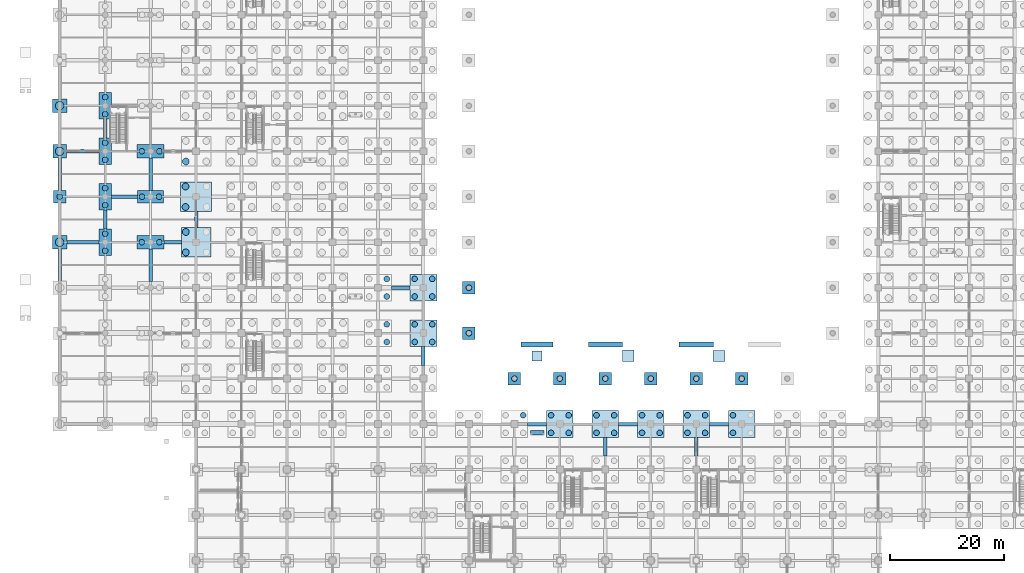
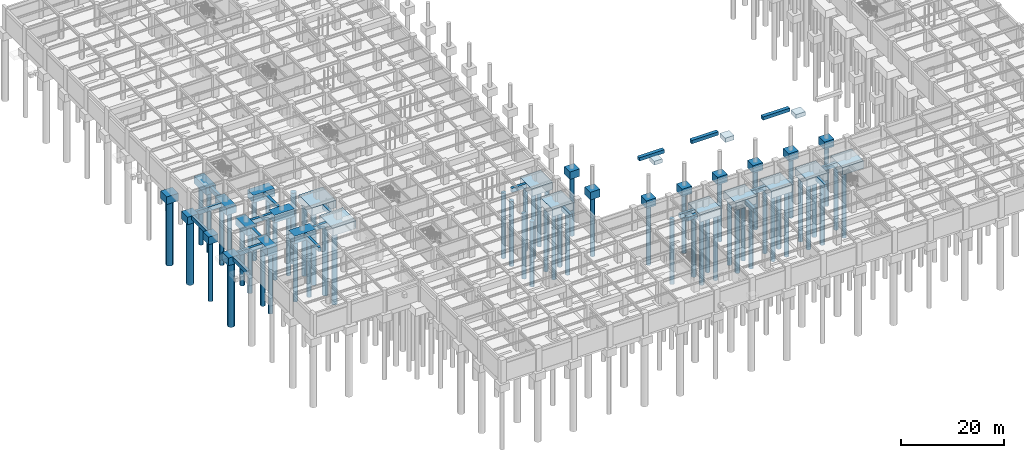
# One storey, part 4 of 97: 62 piles, 53 footings.
"""IFC4 building model written with IfcOpenShell, lengths in metres."""

import ifcopenshell
import ifcopenshell.guid

model = None  # the IFC model being written
_history = None  # IfcOwnerHistory: only IFC2X3 demands one
_inside = {}  # id of a spatial element -> (the spatial element, [elements in it])
_under = {}  # id of a project, library or spatial element -> (it, [spatial elements below it])
_declared = {}  # id of a project -> (the project, [libraries it declares])
_typed = {}  # id of a type object -> (the type object, [elements of that type])
_made_of = {}  # id of a material, layer set ... -> (it, [elements and type objects made of it])


def new_model(schema):
    """Start an empty IFC model of exactly this schema.

    Asked for "IFC4X3", IfcOpenShell would pick the latest addendum, in which some entities
    have other attributes; the version numbers below select the first issue.
    IFC2X3 requires an IfcOwnerHistory on every rooted entity: one is made here for all.
    """
    global model, _history
    if schema == "IFC4X3":
        model = ifcopenshell.file(schema_version=(4, 3, 0, 0))
    else:
        model = ifcopenshell.file(schema=schema)
    _inside.clear()
    _under.clear()
    _declared.clear()
    _typed.clear()
    _made_of.clear()
    _history = None
    if model.schema == "IFC2X3":
        org = make("IfcOrganization", Name="unknown")
        user = make(
            "IfcPersonAndOrganization",
            ThePerson=make("IfcPerson", FamilyName="unknown"),
            TheOrganization=org,
        )
        app = make(
            "IfcApplication",
            ApplicationDeveloper=org,
            Version="unknown",
            ApplicationFullName="unknown",
            ApplicationIdentifier="unknown",
        )
        _history = make(
            "IfcOwnerHistory",
            OwningUser=user,
            OwningApplication=app,
            ChangeAction="ADDED",
            CreationDate=0,
        )
    return model


def make(cls, **values):
    """One entity of the class cls with the attributes given. An attribute that is None is left unset."""
    return model.create_entity(
        cls, **{name: value for name, value in values.items() if value is not None}
    )


def rooted(cls, **values):
    """An entity with a GlobalId (a new one), such as an element, a storey or a relation."""
    return make(cls, GlobalId=ifcopenshell.guid.new(), OwnerHistory=_history, **values)


def si_unit(unit_type, name, prefix=None):
    """IfcSIUnit, for example si_unit("LENGTHUNIT", "METRE", prefix="MILLI")."""
    return make("IfcSIUnit", UnitType=unit_type, Prefix=prefix, Name=name)


def assignment(units):
    """IfcUnitAssignment: the units of a project."""
    return None if units is None else make("IfcUnitAssignment", Units=units)


def point(xyz):
    """IfcCartesianPoint."""
    return None if xyz is None else make("IfcCartesianPoint", Coordinates=xyz)


def direction(xyz):
    """IfcDirection."""
    return None if xyz is None else make("IfcDirection", DirectionRatios=xyz)


def frame(location, z_axis=None, x_axis=None):
    """IfcAxis2Placement3D, a coordinate frame: its origin and axes. An axis left out is left unset."""
    return make(
        "IfcAxis2Placement3D",
        Location=point(location),
        Axis=direction(z_axis),
        RefDirection=direction(x_axis),
    )


def frame_2d(location, x_axis=None):
    """IfcAxis2Placement2D, a coordinate frame in the plane: its origin and x axis."""
    return make(
        "IfcAxis2Placement2D", Location=point(location), RefDirection=direction(x_axis)
    )


def origin():
    """The frame at (0, 0, 0) with its axes left unset."""
    return frame((0.0, 0.0, 0.0))


def origin_2d():
    """The frame at (0, 0) in the plane with its x axis left unset."""
    return frame_2d((0.0, 0.0))


def place(relative_to, where):
    """IfcLocalPlacement: puts the frame where relative to a parent placement (None: the world)."""
    return make(
        "IfcLocalPlacement", PlacementRelTo=relative_to, RelativePlacement=where
    )


def context(
    kind, dimensions, precision=None, world=None, true_north=None, identifier=None
):
    """IfcGeometricRepresentationContext, for example the 3D "Model" context."""
    return make(
        "IfcGeometricRepresentationContext",
        ContextIdentifier=identifier,
        ContextType=kind,
        CoordinateSpaceDimension=dimensions,
        Precision=precision,
        WorldCoordinateSystem=world,
        TrueNorth=true_north,
    )


def subcontext(parent, identifier, kind, view, scale=None):
    """IfcGeometricRepresentationSubContext, for example "Body" below "Model"."""
    return make(
        "IfcGeometricRepresentationSubContext",
        ContextIdentifier=identifier,
        ContextType=kind,
        ParentContext=parent,
        TargetScale=scale,
        TargetView=view,
    )


def project(units=None, contexts=None):
    """IfcProject with its units and contexts."""
    return rooted(
        "IfcProject",
        Name="project",
        RepresentationContexts=contexts,
        UnitsInContext=assignment(units),
    )


def spatial(cls, under=None, at=None, **own):
    """A site, building, storey or space (cls), placed at a placement, below another one or the project."""
    s = rooted(cls, ObjectPlacement=at, **own)
    if under is not None:
        _under.setdefault(under.id(), (under, []))[1].append(s)
    return s


def profile(cls, at=None, kind="AREA", **sizes):
    """A parametric profile (cls). Its sizes go by their IFC names, for example OverallWidth=200.0."""
    return make(cls, ProfileType=kind, Position=at, **sizes)


def rectangle(**sizes):
    """IfcRectangleProfileDef."""
    return profile("IfcRectangleProfileDef", **sizes)


def circle(**sizes):
    """IfcCircleProfileDef."""
    return profile("IfcCircleProfileDef", **sizes)


def extrude(swept, where, along, depth):
    """IfcExtrudedAreaSolid: the profile swept, set in the frame where, extruded along a direction by depth."""
    return make(
        "IfcExtrudedAreaSolid",
        SweptArea=swept,
        Position=where,
        ExtrudedDirection=direction(along),
        Depth=depth,
    )


def shape(context_of_items, identifier, shape_type, items):
    """IfcShapeRepresentation: the items that make up one representation, for example the "Body"."""
    return make(
        "IfcShapeRepresentation",
        ContextOfItems=context_of_items,
        RepresentationIdentifier=identifier,
        RepresentationType=shape_type,
        Items=items,
    )


def material(Name=None, Category=None):
    """IfcMaterial."""
    return make("IfcMaterial", Name=Name, Category=Category)


def layer(
    of_material, thickness, ventilated=None, Name=None, Category=None, Priority=None
):
    """IfcMaterialLayer: one layer of a wall or slab, of a material (None: an air gap)."""
    return make(
        "IfcMaterialLayer",
        Material=of_material,
        LayerThickness=thickness,
        IsVentilated=ventilated,
        Name=Name,
        Category=Category,
        Priority=Priority,
    )


def layer_set(layers, Name=None):
    """IfcMaterialLayerSet."""
    return make("IfcMaterialLayerSet", MaterialLayers=layers, LayerSetName=Name)


def material_profile(
    of_material, cross_section, Name=None, Category=None, Priority=None
):
    """IfcMaterialProfile: a cross section and its material."""
    return make(
        "IfcMaterialProfile",
        Name=Name,
        Material=of_material,
        Profile=cross_section,
        Priority=Priority,
        Category=Category,
    )


def profile_set(profiles, Name=None, composite=None):
    """IfcMaterialProfileSet."""
    return make(
        "IfcMaterialProfileSet",
        Name=Name,
        MaterialProfiles=profiles,
        CompositeProfile=composite,
    )


def made_of(thing, what):
    """Note that an element or type object is made of a material, layer set ...; save() writes the relation."""
    if what is not None:
        _made_of.setdefault(what.id(), (what, []))[1].append(thing)
    return thing


def type_object(cls, material=None, **own):
    """A type object (cls), such as IfcWallType, which elements share."""
    return made_of(rooted(cls, **own), material)


def element(
    cls,
    number,
    at=None,
    inside=None,
    cuts=None,
    type_object=None,
    material=None,
    context=None,
    identifier="Body",
    shape_type=None,
    held_by="IfcProductDefinitionShape",
    body=None,
    shapes=None,
    **own,
):
    """One element of the class cls, such as IfcWall. Its Tag is "e" and its number.

    at: its placement. inside: the storey or other place that contains it. cuts: it is an
    opening in that element (IfcRelVoidsElement). A single representation is given by context,
    identifier, shape_type and body (its items); several are given by shapes. held_by: the class
    of the entity that holds the representations. save() writes the other relations.
    """
    e = rooted(cls, Tag="e%d" % number, ObjectPlacement=at, **own)
    if body is not None:
        shapes = [shape(context, identifier, shape_type, body)]
    if shapes is not None:
        e.Representation = make(held_by, Representations=shapes)
    if inside is not None:
        _inside.setdefault(inside.id(), (inside, []))[1].append(e)
    if cuts is not None:
        rooted(
            "IfcRelVoidsElement", RelatingBuildingElement=cuts, RelatedOpeningElement=e
        )
    if type_object is not None:
        _typed.setdefault(type_object.id(), (type_object, []))[1].append(e)
    return made_of(e, material)


def aggregate(whole, parts):
    """IfcRelAggregates: a whole, such as a stair, and the parts it consists of."""
    return rooted("IfcRelAggregates", RelatingObject=whole, RelatedObjects=parts)


def save(model, path):
    """Write the relations noted so far, then the file.

    IfcRelAggregates (storeys below a building ...), IfcRelContainedInSpatialStructure (elements
    in a storey), IfcRelDefinesByType, IfcRelAssociatesMaterial and IfcRelDeclares: one each for
    every whole, place, type object, material and project.
    """
    for whole, parts in _under.values():
        aggregate(whole, parts)
    for where, things in _inside.values():
        rooted(
            "IfcRelContainedInSpatialStructure",
            RelatedElements=things,
            RelatingStructure=where,
        )
    for kind, things in _typed.values():
        rooted("IfcRelDefinesByType", RelatedObjects=things, RelatingType=kind)
    for what, things in _made_of.values():
        rooted("IfcRelAssociatesMaterial", RelatedObjects=things, RelatingMaterial=what)
    for by, libraries in _declared.values():
        rooted("IfcRelDeclares", RelatingContext=by, RelatedDefinitions=libraries)
    model.write(path)


model = new_model("IFC4")

# Units and contexts
model_context = context("Model", 3, precision=1e-05, world=origin(), true_north=direction((0.0, 1.0)))
body_context = subcontext(model_context, "Body", "Model", "MODEL_VIEW")
ifc_project = project(units=[si_unit("LENGTHUNIT", "METRE"), si_unit("AREAUNIT", "SQUARE_METRE"), si_unit("VOLUMEUNIT", "CUBIC_METRE"), si_unit("PLANEANGLEUNIT", "RADIAN"), si_unit("MASSUNIT", "GRAM", prefix="KILO")], contexts=[model_context])

# Site, building, storey
site_placement = place(None, origin())
site = spatial("IfcSite", under=ifc_project, at=site_placement, CompositionType="ELEMENT")
building_placement = place(site_placement, origin())
building = spatial("IfcBuilding", under=site, at=building_placement, Name="Haebicheon Civic Stadium", CompositionType="ELEMENT")
storey_placement = place(building_placement, frame((0.0, 0.0, -5.39990234375)))
storey = spatial("IfcBuildingStorey", under=building, at=storey_placement, Name="B1", CompositionType="ELEMENT", Elevation=-5.39990234375)

# Footings
ifc_material_1 = material(Name="Concrete C40/50", Category="concrete")
ifc_layer_1 = layer(ifc_material_1, 1.0, Name="Concrete C40/50")
ifc_layer_set_1 = layer_set([ifc_layer_1], Name="Concrete C40/50")
footing_type_1 = type_object("IfcFootingType", Name="FB-2800x600", PredefinedType="FOOTING_BEAM", material=ifc_layer_set_1)
footing_1_placement = place(storey_placement, frame((24.0, 68.0, -1.0), z_axis=(0.0, 0.0, 1.0), x_axis=(0.0, 1.0, 0.0)))
element("IfcFooting", 1, at=footing_1_placement, inside=storey, type_object=footing_type_1, material=ifc_layer_set_1, Name="Ground tie beam Y 03-08", PredefinedType="FOOTING_BEAM", context=body_context, shape_type="SweptSolid", body=[
    extrude(rectangle(XDim=2.800048828125, YDim=0.60009765625, at=origin_2d()), origin(), (0.0, 0.0, 1.0), 1.0),
])
ifc_material_2 = material(Name="Concrete C40/50", Category="concrete")
ifc_layer_2 = layer(ifc_material_2, 1.0, Name="Concrete C40/50")
ifc_layer_set_2 = layer_set([ifc_layer_2], Name="Concrete C40/50")
footing_type_2 = type_object("IfcFootingType", Name="FB-3000x600", PredefinedType="FOOTING_BEAM", material=ifc_layer_set_2)
footing_2_placement = place(storey_placement, frame((19.89990234375, 64.0, -1.0), z_axis=(0.0, 0.0, 1.0), x_axis=(1.0, 0.0, 0.0)))
element("IfcFooting", 2, at=footing_2_placement, inside=storey, type_object=footing_type_2, material=ifc_layer_set_2, Name="Ground tie beam X 02-08", PredefinedType="FOOTING_BEAM", context=body_context, shape_type="SweptSolid", body=[
    extrude(rectangle(XDim=3.0, YDim=0.60009765625, at=origin_2d()), origin(), (0.0, 0.0, 1.0), 1.0),
])
ifc_material_3 = material(Name="Concrete C40/50", Category="concrete")
ifc_layer_3 = layer(ifc_material_3, 1.0, Name="Concrete C40/50")
ifc_layer_set_3 = layer_set([ifc_layer_3], Name="Concrete C40/50")
footing_type_3 = type_object("IfcFootingType", Name="FB-3300x600", PredefinedType="FOOTING_BEAM", material=ifc_layer_set_3)
for number, where, z_axis, x_axis, name in (
    (3, (60.0, 56.0, -1.0), (0.0, 0.0, 1.0), (1.0, 0.0, 0.0), "Ground tie beam X 07-07"),
    (4, (64.0, 44.0, -1.0), (0.0, 0.0, 1.0), (0.0, 1.0, 0.0), "Ground tie beam Y 08-05"),
    (5, (84.0, 32.0, -1.0), (0.0, 0.0, 1.0), (1.0, 0.0, 0.0), "Ground tie beam X 10-04"),
    (6, (96.0, 28.0, -1.0), (0.0, 0.0, 1.0), (0.0, 1.0, 0.0), "Ground tie beam Y 12-03"),
    (7, (100.0, 32.0, -1.0), (0.0, 0.0, 1.0), (1.0, 0.0, 0.0), "Ground tie beam X 12-04"),
    (8, (112.0, 28.0, -1.0), (0.0, 0.0, 1.0), (0.0, 1.0, 0.0), "Ground tie beam Y 14-03"),
    (9, (116.0, 32.0, -1.0), (0.0, 0.0, 1.0), (1.0, 0.0, 0.0), "Ground tie beam X 14-04"),
):
    element("IfcFooting", number, at=place(storey_placement, frame(where, z_axis=z_axis, x_axis=x_axis)), inside=storey, type_object=footing_type_3, material=ifc_layer_set_3, Name=name, PredefinedType="FOOTING_BEAM", context=body_context, shape_type="SweptSolid", body=[
        extrude(rectangle(XDim=3.300048828125, YDim=0.60009765625, at=origin_2d()), origin(), (0.0, 0.0, 1.0), 1.0),
    ])
ifc_material_4 = material(Name="Concrete C40/50", Category="concrete")
ifc_layer_4 = layer(ifc_material_4, 1.0, Name="Concrete C40/50")
ifc_layer_set_4 = layer_set([ifc_layer_4], Name="Concrete C40/50")
footing_type_4 = type_object("IfcFootingType", Name="FB-3400x600", PredefinedType="FOOTING_BEAM", material=ifc_layer_set_4)
for number, where, z_axis, x_axis, name in (
    (10, (8.0, 68.0, -1.0), (0.0, 0.0, 1.0), (0.0, 1.0, 0.0), "Ground tie beam Y 01-08"),
    (11, (8.0, 84.0, -1.0), (0.0, 0.0, 1.0), (0.0, 1.0, 0.0), "Ground tie beam Y 01-10"),
):
    element("IfcFooting", number, at=place(storey_placement, frame(where, z_axis=z_axis, x_axis=x_axis)), inside=storey, type_object=footing_type_4, material=ifc_layer_set_4, Name=name, PredefinedType="FOOTING_BEAM", context=body_context, shape_type="SweptSolid", body=[
        extrude(rectangle(XDim=3.39990234375, YDim=0.60009765625, at=origin_2d()), origin(), (0.0, 0.0, 1.0), 1.0),
    ])
ifc_material_5 = material(Name="Concrete C40/50", Category="concrete")
ifc_layer_5 = layer(ifc_material_5, 1.0, Name="Concrete C40/50")
ifc_layer_set_5 = layer_set([ifc_layer_5], Name="Concrete C40/50")
footing_type_5 = type_object("IfcFootingType", Name="FB-4600x600", PredefinedType="FOOTING_BEAM", material=ifc_layer_set_5)
footing_3_placement = place(storey_placement, frame((11.39990234375, 72.0, -1.0), z_axis=(0.0, 0.0, 1.0), x_axis=(1.0, 0.0, 0.0)))
element("IfcFooting", 12, at=footing_3_placement, inside=storey, type_object=footing_type_5, material=ifc_layer_set_5, Name="Ground tie beam X 01-09", PredefinedType="FOOTING_BEAM", context=body_context, shape_type="SweptSolid", body=[
    extrude(rectangle(XDim=4.60009765625, YDim=0.60009765625, at=origin_2d()), origin(), (0.0, 0.0, 1.0), 1.0),
])
ifc_material_6 = material(Name="Concrete C40/50", Category="concrete")
ifc_layer_6 = layer(ifc_material_6, 1.0, Name="Concrete C40/50")
ifc_layer_set_6 = layer_set([ifc_layer_6], Name="Concrete C40/50")
footing_type_6 = type_object("IfcFootingType", Name="FB-5600x600", PredefinedType="FOOTING_BEAM", material=ifc_layer_set_6)
for number, where, z_axis, x_axis, name in (
    (13, (0.0, 60.0, -1.0), (0.0, 0.0, 1.0), (0.0, 1.0, 0.0), "Ground tie beam Y 00-07"),
    (14, (4.10009765625, 64.0, -1.0), (0.0, 0.0, 1.0), (1.0, 0.0, 0.0), "Ground tie beam X 00-08"),
):
    element("IfcFooting", number, at=place(storey_placement, frame(where, z_axis=z_axis, x_axis=x_axis)), inside=storey, type_object=footing_type_6, material=ifc_layer_set_6, Name=name, PredefinedType="FOOTING_BEAM", context=body_context, shape_type="SweptSolid", body=[
        extrude(rectangle(XDim=5.60009765625, YDim=0.60009765625, at=origin_2d()), origin(), (0.0, 0.0, 1.0), 1.0),
    ])
ifc_material_7 = material(Name="Concrete C40/50", Category="concrete")
ifc_layer_7 = layer(ifc_material_7, 1.0, Name="Concrete C40/50")
ifc_layer_set_7 = layer_set([ifc_layer_7], Name="Concrete C40/50")
footing_type_7 = type_object("IfcFootingType", Name="FB-5700x600", PredefinedType="FOOTING_BEAM", material=ifc_layer_set_7)
for number, where, z_axis, x_axis, name in (
    (15, (0.0, 75.949951171875, -1.0), (0.0, 0.0, 1.0), (0.0, 1.0, 0.0), "Ground tie beam Y 00-09"),
    (16, (4.050048828125, 80.0, -1.0), (0.0, 0.0, 1.0), (1.0, 0.0, 0.0), "Ground tie beam X 00-10"),
    (17, (16.0, 59.949951171875, -1.0), (0.0, 0.0, 1.0), (0.0, 1.0, 0.0), "Ground tie beam Y 02-07"),
    (18, (16.0, 75.949951171875, -1.0), (0.0, 0.0, 1.0), (0.0, 1.0, 0.0), "Ground tie beam Y 02-09"),
):
    element("IfcFooting", number, at=place(storey_placement, frame(where, z_axis=z_axis, x_axis=x_axis)), inside=storey, type_object=footing_type_7, material=ifc_layer_set_7, Name=name, PredefinedType="FOOTING_BEAM", context=body_context, shape_type="SweptSolid", body=[
        extrude(rectangle(XDim=5.699951171875, YDim=0.60009765625, at=origin_2d()), origin(), (0.0, 0.0, 1.0), 1.0),
    ])
ifc_material_8 = material(Name="Concrete C40/50", Category="concrete")
ifc_layer_8 = layer(ifc_material_8, 1.800048828125, Name="Concrete C40/50")
ifc_layer_set_8 = layer_set([ifc_layer_8], Name="Concrete C40/50")
footing_type_8 = type_object("IfcFootingType", Name="PC-1P-2200", PredefinedType="PILE_CAP", material=ifc_layer_set_8)
for number, where, z_axis, x_axis, name in (
    (19, (0.0, 72.0, -1.80029296875), (0.0, 0.0, 1.0), (1.0, 0.0, 0.0), "Pile cap FT-PC-00-09"),
    (20, (72.0, 48.0, -1.80029296875), (0.0, 0.0, 1.0), (1.0, 0.0, 0.0), "Bowl pier pile cap FT-BPC-001"),
    (21, (72.0, 56.0, -1.80029296875), (0.0, 0.0, 1.0), (1.0, 0.0, 0.0), "Bowl pier pile cap FT-BPC-002"),
    (22, (80.0, 40.0, -1.80029296875), (0.0, 0.0, 1.0), (1.0, 0.0, 0.0), "Bowl pier pile cap FT-BPC-032"),
    (23, (88.0, 40.0, -1.80029296875), (0.0, 0.0, 1.0), (1.0, 0.0, 0.0), "Bowl pier pile cap FT-BPC-033"),
    (24, (96.0, 40.0, -1.80029296875), (0.0, 0.0, 1.0), (1.0, 0.0, 0.0), "Bowl pier pile cap FT-BPC-034"),
    (25, (104.0, 40.0, -1.80029296875), (0.0, 0.0, 1.0), (1.0, 0.0, 0.0), "Bowl pier pile cap FT-BPC-035"),
    (26, (112.0, 40.0, -1.80029296875), (0.0, 0.0, 1.0), (1.0, 0.0, 0.0), "Bowl pier pile cap FT-BPC-036"),
    (27, (120.0, 40.0, -1.80029296875), (0.0, 0.0, 1.0), (1.0, 0.0, 0.0), "Bowl pier pile cap FT-BPC-037"),
):
    element("IfcFooting", number, at=place(storey_placement, frame(where, z_axis=z_axis, x_axis=x_axis)), inside=storey, type_object=footing_type_8, material=ifc_layer_set_8, Name=name, PredefinedType="PILE_CAP", context=body_context, shape_type="SweptSolid", body=[
        extrude(rectangle(XDim=2.199951171875, YDim=2.199951171875, at=origin_2d()), origin(), (0.0, 0.0, 1.0), 1.800048828125),
    ])
ifc_material_9 = material(Name="Concrete C40/50", Category="concrete")
ifc_layer_9 = layer(ifc_material_9, 1.800048828125, Name="Concrete C40/50")
ifc_layer_set_9 = layer_set([ifc_layer_9], Name="Concrete C40/50")
footing_type_9 = type_object("IfcFootingType", Name="PC-1P-2400", PredefinedType="PILE_CAP", material=ifc_layer_set_9)
footing_4_placement = place(storey_placement, frame((0.0, 80.0, -1.80029296875), z_axis=(0.0, 0.0, 1.0), x_axis=(1.0, 0.0, 0.0)))
element("IfcFooting", 28, at=footing_4_placement, inside=storey, type_object=footing_type_9, material=ifc_layer_set_9, Name="Pile cap FT-PC-00-10", PredefinedType="PILE_CAP", context=body_context, shape_type="SweptSolid", body=[
    extrude(rectangle(XDim=2.39990234375, YDim=2.39990234375, at=origin_2d()), origin(), (0.0, 0.0, 1.0), 1.800048828125),
])
ifc_material_10 = material(Name="Concrete C40/50", Category="concrete")
ifc_layer_10 = layer(ifc_material_10, 1.800048828125, Name="Concrete C40/50")
ifc_layer_set_10 = layer_set([ifc_layer_10], Name="Concrete C40/50")
footing_type_10 = type_object("IfcFootingType", Name="PC-1P-2600", PredefinedType="PILE_CAP", material=ifc_layer_set_10)
for number, where, z_axis, x_axis, name in (
    (29, (0.0, 64.0, -1.80029296875), (0.0, 0.0, 1.0), (1.0, 0.0, 0.0), "Pile cap FT-PC-00-08"),
    (30, (0.0, 88.0, -1.80029296875), (0.0, 0.0, 1.0), (1.0, 0.0, 0.0), "Pile cap FT-PC-00-11"),
):
    element("IfcFooting", number, at=place(storey_placement, frame(where, z_axis=z_axis, x_axis=x_axis)), inside=storey, type_object=footing_type_10, material=ifc_layer_set_10, Name=name, PredefinedType="PILE_CAP", context=body_context, shape_type="SweptSolid", body=[
        extrude(rectangle(XDim=2.60009765625, YDim=2.39990234375, at=origin_2d()), origin(), (0.0, 0.0, 1.0), 1.800048828125),
    ])
ifc_material_11 = material(Name="Concrete C40/50", Category="concrete")
ifc_layer_11 = layer(ifc_material_11, 1.800048828125, Name="Concrete C40/50")
ifc_layer_set_11 = layer_set([ifc_layer_11], Name="Concrete C40/50")
footing_type_11 = type_object("IfcFootingType", Name="PC-2P-2200", PredefinedType="PILE_CAP", material=ifc_layer_set_11)
for number, where, z_axis, x_axis, name in (
    (31, (8.0, 64.0, -1.80029296875), (0.0, 0.0, 1.0), (1.0, 0.0, 0.0), "Pile cap FT-PC-01-08"),
    (32, (8.0, 72.0, -1.80029296875), (0.0, 0.0, 1.0), (1.0, 0.0, 0.0), "Pile cap FT-PC-01-09"),
    (33, (8.0, 80.0, -1.80029296875), (0.0, 0.0, 1.0), (1.0, 0.0, 0.0), "Pile cap FT-PC-01-10"),
    (34, (8.0, 88.0, -1.80029296875), (0.0, 0.0, 1.0), (1.0, 0.0, 0.0), "Pile cap FT-PC-01-11"),
):
    element("IfcFooting", number, at=place(storey_placement, frame(where, z_axis=z_axis, x_axis=x_axis)), inside=storey, type_object=footing_type_11, material=ifc_layer_set_11, Name=name, PredefinedType="PILE_CAP", context=body_context, shape_type="SweptSolid", body=[
        extrude(rectangle(XDim=2.199951171875, YDim=4.60009765625, at=origin_2d()), origin(), (0.0, 0.0, 1.0), 1.800048828125),
    ])
ifc_material_12 = material(Name="Concrete C40/50", Category="concrete")
ifc_layer_12 = layer(ifc_material_12, 1.800048828125, Name="Concrete C40/50")
ifc_layer_set_12 = layer_set([ifc_layer_12], Name="Concrete C40/50")
footing_type_12 = type_object("IfcFootingType", Name="PC-2P-4600", PredefinedType="PILE_CAP", material=ifc_layer_set_12)
footing_5_placement = place(storey_placement, frame((16.0, 72.0, -1.80029296875), z_axis=(0.0, 0.0, 1.0), x_axis=(1.0, 0.0, 0.0)))
element("IfcFooting", 35, at=footing_5_placement, inside=storey, type_object=footing_type_12, material=ifc_layer_set_12, Name="Pile cap FT-PC-02-09", PredefinedType="PILE_CAP", context=body_context, shape_type="SweptSolid", body=[
    extrude(rectangle(XDim=4.60009765625, YDim=2.199951171875, at=origin_2d()), origin(), (0.0, 0.0, 1.0), 1.800048828125),
])
ifc_material_13 = material(Name="Concrete C40/50", Category="concrete")
ifc_layer_13 = layer(ifc_material_13, 1.800048828125, Name="Concrete C40/50")
ifc_layer_set_13 = layer_set([ifc_layer_13], Name="Concrete C40/50")
footing_type_13 = type_object("IfcFootingType", Name="PC-2P-4800", PredefinedType="PILE_CAP", material=ifc_layer_set_13)
for number, where, z_axis, x_axis, name in (
    (36, (16.0, 64.0, -1.80029296875), (0.0, 0.0, 1.0), (1.0, 0.0, 0.0), "Pile cap FT-PC-02-08"),
    (37, (16.0, 80.0, -1.80029296875), (0.0, 0.0, 1.0), (1.0, 0.0, 0.0), "Pile cap FT-PC-02-10"),
):
    element("IfcFooting", number, at=place(storey_placement, frame(where, z_axis=z_axis, x_axis=x_axis)), inside=storey, type_object=footing_type_13, material=ifc_layer_set_13, Name=name, PredefinedType="PILE_CAP", context=body_context, shape_type="SweptSolid", body=[
        extrude(rectangle(XDim=4.800048828125, YDim=2.39990234375, at=origin_2d()), origin(), (0.0, 0.0, 1.0), 1.800048828125),
    ])
ifc_material_14 = material(Name="Concrete C40/50", Category="concrete")
ifc_layer_14 = layer(ifc_material_14, 1.800048828125, Name="Concrete C40/50")
ifc_layer_set_14 = layer_set([ifc_layer_14], Name="Concrete C40/50")
footing_type_14 = type_object("IfcFootingType", Name="PC-4P-4700", PredefinedType="PILE_CAP", material=ifc_layer_set_14)
for number, where, z_axis, x_axis, name in (
    (38, (64.0, 48.0, -1.80029296875), (0.0, 0.0, 1.0), (1.0, 0.0, 0.0), "Pile cap FT-PC-08-06"),
    (39, (64.0, 56.0, -1.80029296875), (0.0, 0.0, 1.0), (1.0, 0.0, 0.0), "Pile cap FT-PC-08-07"),
    (40, (88.0, 32.0, -1.80029296875), (0.0, 0.0, 1.0), (1.0, 0.0, 0.0), "Pile cap FT-PC-11-04"),
    (41, (96.0, 32.0, -1.80029296875), (0.0, 0.0, 1.0), (1.0, 0.0, 0.0), "Pile cap FT-PC-12-04"),
    (42, (104.0, 32.0, -1.80029296875), (0.0, 0.0, 1.0), (1.0, 0.0, 0.0), "Pile cap FT-PC-13-04"),
    (43, (112.0, 32.0, -1.80029296875), (0.0, 0.0, 1.0), (1.0, 0.0, 0.0), "Pile cap FT-PC-14-04"),
    (44, (120.0, 32.0, -1.80029296875), (0.0, 0.0, 1.0), (1.0, 0.0, 0.0), "Pile cap FT-PC-15-04"),
):
    element("IfcFooting", number, at=place(storey_placement, frame(where, z_axis=z_axis, x_axis=x_axis)), inside=storey, type_object=footing_type_14, material=ifc_layer_set_14, Name=name, PredefinedType="PILE_CAP", context=body_context, shape_type="SweptSolid", body=[
        extrude(rectangle(XDim=4.699951171875, YDim=4.699951171875, at=origin_2d()), origin(), (0.0, 0.0, 1.0), 1.800048828125),
    ])
ifc_material_15 = material(Name="Concrete C40/50", Category="concrete")
ifc_layer_15 = layer(ifc_material_15, 1.800048828125, Name="Concrete C40/50")
ifc_layer_set_15 = layer_set([ifc_layer_15], Name="Concrete C40/50")
footing_type_15 = type_object("IfcFootingType", Name="PC-4P-5200", PredefinedType="PILE_CAP", material=ifc_layer_set_15)
footing_6_placement = place(storey_placement, frame((24.0, 64.0, -1.80029296875), z_axis=(0.0, 0.0, 1.0), x_axis=(1.0, 0.0, 0.0)))
element("IfcFooting", 45, at=footing_6_placement, inside=storey, type_object=footing_type_15, material=ifc_layer_set_15, Name="Pile cap FT-PC-03-08", PredefinedType="PILE_CAP", context=body_context, shape_type="SweptSolid", body=[
    extrude(rectangle(XDim=5.199951171875, YDim=5.199951171875, at=origin_2d()), origin(), (0.0, 0.0, 1.0), 1.800048828125),
])
ifc_material_16 = material(Name="Concrete C40/50", Category="concrete")
ifc_layer_16 = layer(ifc_material_16, 1.800048828125, Name="Concrete C40/50")
ifc_layer_set_16 = layer_set([ifc_layer_16], Name="Concrete C40/50")
footing_type_16 = type_object("IfcFootingType", Name="PC-4P-5400", PredefinedType="PILE_CAP", material=ifc_layer_set_16)
footing_7_placement = place(storey_placement, frame((24.0, 72.0, -1.80029296875), z_axis=(0.0, 0.0, 1.0), x_axis=(1.0, 0.0, 0.0)))
element("IfcFooting", 46, at=footing_7_placement, inside=storey, type_object=footing_type_16, material=ifc_layer_set_16, Name="Pile cap FT-PC-03-09", PredefinedType="PILE_CAP", context=body_context, shape_type="SweptSolid", body=[
    extrude(rectangle(XDim=5.39990234375, YDim=5.199951171875, at=origin_2d()), origin(), (0.0, 0.0, 1.0), 1.800048828125),
])
ifc_material_17 = material(Name="Concrete C35/45", Category="concrete")
ifc_layer_17 = layer(ifc_material_17, 0.89990234375, Name="Concrete C35/45")
ifc_layer_set_17 = layer_set([ifc_layer_17], Name="Concrete C35/45")
footing_type_17 = type_object("IfcFootingType", Name="PF-1800", PredefinedType="PAD_FOOTING", material=ifc_layer_set_17)
footing_8_placement = place(storey_placement, frame((84.0, 44.0, 4.5), z_axis=(0.0, 0.0, 1.0), x_axis=(1.0, 0.0, 0.0)))
element("IfcFooting", 47, at=footing_8_placement, inside=storey, type_object=footing_type_17, material=ifc_layer_set_17, Name="Floodlight/scoreboard pad footing 01", PredefinedType="PAD_FOOTING", context=body_context, shape_type="SweptSolid", body=[
    extrude(rectangle(XDim=1.800048828125, YDim=1.800048828125, at=origin_2d()), origin(), (0.0, 0.0, 1.0), 0.89990234375),
])
ifc_material_18 = material(Name="Concrete C35/45", Category="concrete")
ifc_layer_18 = layer(ifc_material_18, 1.0, Name="Concrete C35/45")
ifc_layer_set_18 = layer_set([ifc_layer_18], Name="Concrete C35/45")
footing_type_18 = type_object("IfcFootingType", Name="PF-2000", PredefinedType="PAD_FOOTING", material=ifc_layer_set_18)
footing_9_placement = place(storey_placement, frame((100.0, 44.0, 4.39990234375), z_axis=(0.0, 0.0, 1.0), x_axis=(1.0, 0.0, 0.0)))
element("IfcFooting", 48, at=footing_9_placement, inside=storey, type_object=footing_type_18, material=ifc_layer_set_18, Name="Floodlight/scoreboard pad footing 02", PredefinedType="PAD_FOOTING", context=body_context, shape_type="SweptSolid", body=[
    extrude(rectangle(XDim=2.0, YDim=2.0, at=origin_2d()), origin(), (0.0, 0.0, 1.0), 1.0),
])
ifc_material_19 = material(Name="Concrete C35/45", Category="concrete")
ifc_layer_19 = layer(ifc_material_19, 0.949951171875, Name="Concrete C35/45")
ifc_layer_set_19 = layer_set([ifc_layer_19], Name="Concrete C35/45")
footing_type_19 = type_object("IfcFootingType", Name="PF-2100x1900", PredefinedType="PAD_FOOTING", material=ifc_layer_set_19)
footing_10_placement = place(storey_placement, frame((116.0, 44.0, 4.44970703125), z_axis=(0.0, 0.0, 1.0), x_axis=(1.0, 0.0, 0.0)))
element("IfcFooting", 49, at=footing_10_placement, inside=storey, type_object=footing_type_19, material=ifc_layer_set_19, Name="Floodlight/scoreboard pad footing 03", PredefinedType="PAD_FOOTING", context=body_context, shape_type="SweptSolid", body=[
    extrude(rectangle(XDim=2.10009765625, YDim=1.89990234375, at=origin_2d()), origin(), (0.0, 0.0, 1.0), 0.949951171875),
])
ifc_material_20 = material(Name="Concrete C35/45", Category="concrete")
ifc_layer_20 = layer(ifc_material_20, 0.89990234375, Name="Concrete C35/45")
ifc_layer_set_20 = layer_set([ifc_layer_20], Name="Concrete C35/45")
footing_type_20 = type_object("IfcFootingType", Name="PF-2360x800", PredefinedType="PAD_FOOTING", material=ifc_layer_set_20)
footing_11_placement = place(storey_placement, frame((84.050048828125, 30.449951171875, -0.900146484375), z_axis=(0.0, 0.0, 1.0), x_axis=(1.0, 0.0, 0.0)))
element("IfcFooting", 50, at=footing_11_placement, inside=storey, type_object=footing_type_20, material=ifc_layer_set_20, Name="VM-10 vomitory landing pad footing", PredefinedType="PAD_FOOTING", context=body_context, shape_type="SweptSolid", body=[
    extrude(rectangle(XDim=2.360107421875, YDim=0.800048828125, at=origin_2d()), origin(), (0.0, 0.0, 1.0), 0.89990234375),
])

# Piles
ifc_material_21 = material(Name="Concrete C40/50", Category="concrete")
ifc_material_profile_1 = material_profile(ifc_material_21, circle(Radius=0.5, at=origin_2d()), Name="PILE-D1000")
ifc_profile_set_1 = profile_set([ifc_material_profile_1], Name="Concrete C40/50")
pile_type_1 = type_object("IfcPileType", Name="PL-D1000", PredefinedType="BORED", material=ifc_profile_set_1)
for number, where, z_axis, x_axis, name in (
    (51, (0.0, 72.0, -1.7001953125), (0.0, 0.0, -1.0), (1.0, 0.0, 0.0), "Bored pile 00-09-1"),
    (52, (8.0, 62.5, -1.7001953125), (0.0, 0.0, -1.0), (1.0, 0.0, 0.0), "Bored pile 01-08-1"),
    (53, (8.0, 65.5, -1.7001953125), (0.0, 0.0, -1.0), (1.0, 0.0, 0.0), "Bored pile 01-08-2"),
    (54, (8.0, 70.5, -1.7001953125), (0.0, 0.0, -1.0), (1.0, 0.0, 0.0), "Bored pile 01-09-1"),
    (55, (8.0, 73.5, -1.7001953125), (0.0, 0.0, -1.0), (1.0, 0.0, 0.0), "Bored pile 01-09-2"),
    (56, (8.0, 78.5, -1.7001953125), (0.0, 0.0, -1.0), (1.0, 0.0, 0.0), "Bored pile 01-10-1"),
    (57, (8.0, 81.5, -1.7001953125), (0.0, 0.0, -1.0), (1.0, 0.0, 0.0), "Bored pile 01-10-2"),
    (58, (8.0, 86.5, -1.7001953125), (0.0, 0.0, -1.0), (1.0, 0.0, 0.0), "Bored pile 01-11-1"),
    (59, (8.0, 89.5, -1.7001953125), (0.0, 0.0, -1.0), (1.0, 0.0, 0.0), "Bored pile 01-11-2"),
):
    element("IfcPile", number, at=place(storey_placement, frame(where, z_axis=z_axis, x_axis=x_axis)), inside=storey, type_object=pile_type_1, material=ifc_profile_set_1, Name=name, PredefinedType="BORED", context=body_context, shape_type="SweptSolid", body=[
        extrude(circle(Radius=0.5, at=origin_2d()), origin(), (0.0, 0.0, 1.0), 14.300048828125),
    ])
for number, where, z_axis, x_axis, name in (
    (60, (14.449951171875, 64.0, -1.7001953125), (0.0, 0.0, -1.0), (1.0, 0.0, 0.0), "Bored pile 02-08-1"),
    (61, (17.550048828125, 64.0, -1.7001953125), (0.0, 0.0, -1.0), (1.0, 0.0, 0.0), "Bored pile 02-08-2"),
):
    element("IfcPile", number, at=place(storey_placement, frame(where, z_axis=z_axis, x_axis=x_axis)), inside=storey, type_object=pile_type_1, material=ifc_profile_set_1, Name=name, PredefinedType="BORED", context=body_context, shape_type="SweptSolid", body=[
        extrude(circle(Radius=0.5, at=origin_2d()), origin(), (0.0, 0.0, 1.0), 14.60009765625),
    ])
for number, where, z_axis, x_axis, name in (
    (62, (14.5, 72.0, -1.7001953125), (0.0, 0.0, -1.0), (1.0, 0.0, 0.0), "Bored pile 02-09-1"),
    (63, (17.5, 72.0, -1.7001953125), (0.0, 0.0, -1.0), (1.0, 0.0, 0.0), "Bored pile 02-09-2"),
):
    element("IfcPile", number, at=place(storey_placement, frame(where, z_axis=z_axis, x_axis=x_axis)), inside=storey, type_object=pile_type_1, material=ifc_profile_set_1, Name=name, PredefinedType="BORED", context=body_context, shape_type="SweptSolid", body=[
        extrude(circle(Radius=0.5, at=origin_2d()), origin(), (0.0, 0.0, 1.0), 14.300048828125),
    ])
for number, where, z_axis, x_axis, name in (
    (64, (14.449951171875, 80.0, -1.7001953125), (0.0, 0.0, -1.0), (1.0, 0.0, 0.0), "Bored pile 02-10-1"),
    (65, (17.550048828125, 80.0, -1.7001953125), (0.0, 0.0, -1.0), (1.0, 0.0, 0.0), "Bored pile 02-10-2"),
):
    element("IfcPile", number, at=place(storey_placement, frame(where, z_axis=z_axis, x_axis=x_axis)), inside=storey, type_object=pile_type_1, material=ifc_profile_set_1, Name=name, PredefinedType="BORED", context=body_context, shape_type="SweptSolid", body=[
        extrude(circle(Radius=0.5, at=origin_2d()), origin(), (0.0, 0.0, 1.0), 14.60009765625),
    ])
for number, where, z_axis, x_axis, name in (
    (66, (57.550048828125, 46.449951171875, -1.7001953125), (0.0, 0.0, -1.0), (1.0, 0.0, 0.0), "Bored pile 07-06-2"),
    (67, (57.550048828125, 49.550048828125, -1.7001953125), (0.0, 0.0, -1.0), (1.0, 0.0, 0.0), "Bored pile 07-06-4"),
    (68, (57.550048828125, 54.449951171875, -1.7001953125), (0.0, 0.0, -1.0), (1.0, 0.0, 0.0), "Bored pile 07-07-2"),
    (69, (57.550048828125, 57.550048828125, -1.7001953125), (0.0, 0.0, -1.0), (1.0, 0.0, 0.0), "Bored pile 07-07-4"),
    (70, (62.449951171875, 46.449951171875, -1.7001953125), (0.0, 0.0, -1.0), (1.0, 0.0, 0.0), "Bored pile 08-06-1"),
    (71, (65.550048828125, 46.449951171875, -1.7001953125), (0.0, 0.0, -1.0), (1.0, 0.0, 0.0), "Bored pile 08-06-2"),
    (72, (62.449951171875, 49.550048828125, -1.7001953125), (0.0, 0.0, -1.0), (1.0, 0.0, 0.0), "Bored pile 08-06-3"),
    (73, (65.550048828125, 49.550048828125, -1.7001953125), (0.0, 0.0, -1.0), (1.0, 0.0, 0.0), "Bored pile 08-06-4"),
    (74, (62.449951171875, 54.449951171875, -1.7001953125), (0.0, 0.0, -1.0), (1.0, 0.0, 0.0), "Bored pile 08-07-1"),
    (75, (65.550048828125, 54.449951171875, -1.7001953125), (0.0, 0.0, -1.0), (1.0, 0.0, 0.0), "Bored pile 08-07-2"),
    (76, (62.449951171875, 57.550048828125, -1.7001953125), (0.0, 0.0, -1.0), (1.0, 0.0, 0.0), "Bored pile 08-07-3"),
    (77, (65.550048828125, 57.550048828125, -1.7001953125), (0.0, 0.0, -1.0), (1.0, 0.0, 0.0), "Bored pile 08-07-4"),
    (78, (81.550048828125, 33.550048828125, -1.7001953125), (0.0, 0.0, -1.0), (1.0, 0.0, 0.0), "Bored pile 10-04-4"),
    (79, (86.449951171875, 30.449951171875, -1.7001953125), (0.0, 0.0, -1.0), (1.0, 0.0, 0.0), "Bored pile 11-04-1"),
    (80, (89.550048828125, 30.449951171875, -1.7001953125), (0.0, 0.0, -1.0), (1.0, 0.0, 0.0), "Bored pile 11-04-2"),
    (81, (86.449951171875, 33.550048828125, -1.7001953125), (0.0, 0.0, -1.0), (1.0, 0.0, 0.0), "Bored pile 11-04-3"),
    (82, (89.550048828125, 33.550048828125, -1.7001953125), (0.0, 0.0, -1.0), (1.0, 0.0, 0.0), "Bored pile 11-04-4"),
    (83, (94.449951171875, 30.449951171875, -1.7001953125), (0.0, 0.0, -1.0), (1.0, 0.0, 0.0), "Bored pile 12-04-1"),
    (84, (97.550048828125, 30.449951171875, -1.7001953125), (0.0, 0.0, -1.0), (1.0, 0.0, 0.0), "Bored pile 12-04-2"),
    (85, (94.449951171875, 33.550048828125, -1.7001953125), (0.0, 0.0, -1.0), (1.0, 0.0, 0.0), "Bored pile 12-04-3"),
    (86, (97.550048828125, 33.550048828125, -1.7001953125), (0.0, 0.0, -1.0), (1.0, 0.0, 0.0), "Bored pile 12-04-4"),
    (87, (102.449951171875, 30.449951171875, -1.7001953125), (0.0, 0.0, -1.0), (1.0, 0.0, 0.0), "Bored pile 13-04-1"),
    (88, (105.550048828125, 30.449951171875, -1.7001953125), (0.0, 0.0, -1.0), (1.0, 0.0, 0.0), "Bored pile 13-04-2"),
    (89, (102.449951171875, 33.550048828125, -1.7001953125), (0.0, 0.0, -1.0), (1.0, 0.0, 0.0), "Bored pile 13-04-3"),
    (90, (105.550048828125, 33.550048828125, -1.7001953125), (0.0, 0.0, -1.0), (1.0, 0.0, 0.0), "Bored pile 13-04-4"),
    (91, (110.449951171875, 30.449951171875, -1.7001953125), (0.0, 0.0, -1.0), (1.0, 0.0, 0.0), "Bored pile 14-04-1"),
    (92, (113.550048828125, 30.449951171875, -1.7001953125), (0.0, 0.0, -1.0), (1.0, 0.0, 0.0), "Bored pile 14-04-2"),
    (93, (110.449951171875, 33.550048828125, -1.7001953125), (0.0, 0.0, -1.0), (1.0, 0.0, 0.0), "Bored pile 14-04-3"),
    (94, (113.550048828125, 33.550048828125, -1.7001953125), (0.0, 0.0, -1.0), (1.0, 0.0, 0.0), "Bored pile 14-04-4"),
    (95, (118.449951171875, 30.449951171875, -1.7001953125), (0.0, 0.0, -1.0), (1.0, 0.0, 0.0), "Bored pile 15-04-1"),
    (96, (118.449951171875, 33.550048828125, -1.7001953125), (0.0, 0.0, -1.0), (1.0, 0.0, 0.0), "Bored pile 15-04-3"),
):
    element("IfcPile", number, at=place(storey_placement, frame(where, z_axis=z_axis, x_axis=x_axis)), inside=storey, type_object=pile_type_1, material=ifc_profile_set_1, Name=name, PredefinedType="BORED", context=body_context, shape_type="SweptSolid", body=[
        extrude(circle(Radius=0.5, at=origin_2d()), origin(), (0.0, 0.0, 1.0), 15.5),
    ])
for number, where, z_axis, x_axis, name in (
    (97, (72.0, 48.0, -1.7001953125), (0.0, 0.0, -1.0), (1.0, 0.0, 0.0), "Bowl pier bored pile 001"),
    (98, (72.0, 56.0, -1.7001953125), (0.0, 0.0, -1.0), (1.0, 0.0, 0.0), "Bowl pier bored pile 002"),
    (99, (80.0, 40.0, -1.7001953125), (0.0, 0.0, -1.0), (1.0, 0.0, 0.0), "Bowl pier bored pile 032"),
    (100, (88.0, 40.0, -1.7001953125), (0.0, 0.0, -1.0), (1.0, 0.0, 0.0), "Bowl pier bored pile 033"),
    (101, (96.0, 40.0, -1.7001953125), (0.0, 0.0, -1.0), (1.0, 0.0, 0.0), "Bowl pier bored pile 034"),
    (102, (104.0, 40.0, -1.7001953125), (0.0, 0.0, -1.0), (1.0, 0.0, 0.0), "Bowl pier bored pile 035"),
    (103, (112.0, 40.0, -1.7001953125), (0.0, 0.0, -1.0), (1.0, 0.0, 0.0), "Bowl pier bored pile 036"),
    (104, (120.0, 40.0, -1.7001953125), (0.0, 0.0, -1.0), (1.0, 0.0, 0.0), "Bowl pier bored pile 037"),
):
    element("IfcPile", number, at=place(storey_placement, frame(where, z_axis=z_axis, x_axis=x_axis)), inside=storey, type_object=pile_type_1, material=ifc_profile_set_1, Name=name, PredefinedType="BORED", context=body_context, shape_type="SweptSolid", body=[
        extrude(circle(Radius=0.5, at=origin_2d()), origin(), (0.0, 0.0, 1.0), 14.300048828125),
    ])
ifc_material_22 = material(Name="Concrete C40/50", Category="concrete")
ifc_material_profile_2 = material_profile(ifc_material_22, circle(Radius=0.60009765625, at=origin_2d()), Name="PILE-D1200")
ifc_profile_set_2 = profile_set([ifc_material_profile_2], Name="Concrete C40/50")
pile_type_2 = type_object("IfcPileType", Name="PL-D1200", PredefinedType="BORED", material=ifc_profile_set_2)
for number, where, z_axis, x_axis, name in (
    (105, (22.199951171875, 62.199951171875, -1.7001953125), (0.0, 0.0, -1.0), (1.0, 0.0, 0.0), "Bored pile 03-08-1"),
    (106, (22.199951171875, 65.800048828125, -1.7001953125), (0.0, 0.0, -1.0), (1.0, 0.0, 0.0), "Bored pile 03-08-3"),
):
    element("IfcPile", number, at=place(storey_placement, frame(where, z_axis=z_axis, x_axis=x_axis)), inside=storey, type_object=pile_type_2, material=ifc_profile_set_2, Name=name, PredefinedType="BORED", context=body_context, shape_type="SweptSolid", body=[
        extrude(circle(Radius=0.60009765625, at=origin_2d()), origin(), (0.0, 0.0, 1.0), 16.89990234375),
    ])
for number, where, z_axis, x_axis, name in (
    (107, (22.14990234375, 70.199951171875, -1.7001953125), (0.0, 0.0, -1.0), (1.0, 0.0, 0.0), "Bored pile 03-09-1"),
    (108, (22.14990234375, 73.800048828125, -1.7001953125), (0.0, 0.0, -1.0), (1.0, 0.0, 0.0), "Bored pile 03-09-3"),
):
    element("IfcPile", number, at=place(storey_placement, frame(where, z_axis=z_axis, x_axis=x_axis)), inside=storey, type_object=pile_type_2, material=ifc_profile_set_2, Name=name, PredefinedType="BORED", context=body_context, shape_type="SweptSolid", body=[
        extrude(circle(Radius=0.60009765625, at=origin_2d()), origin(), (0.0, 0.0, 1.0), 17.10009765625),
    ])
pile_1_placement = place(storey_placement, frame((22.199951171875, 78.199951171875, -1.7001953125), z_axis=(0.0, 0.0, -1.0), x_axis=(1.0, 0.0, 0.0)))
element("IfcPile", 109, at=pile_1_placement, inside=storey, type_object=pile_type_2, material=ifc_profile_set_2, Name="Bored pile 03-10-1", PredefinedType="BORED", context=body_context, shape_type="SweptSolid", body=[
    extrude(circle(Radius=0.60009765625, at=origin_2d()), origin(), (0.0, 0.0, 1.0), 16.89990234375),
])
ifc_material_23 = material(Name="Concrete C40/50", Category="concrete")
ifc_material_profile_3 = material_profile(ifc_material_23, circle(Radius=0.75, at=origin_2d()), Name="PILE-D1500")
ifc_profile_set_3 = profile_set([ifc_material_profile_3], Name="Concrete C40/50")
pile_type_3 = type_object("IfcPileType", Name="PL-D1500", PredefinedType="BORED", material=ifc_profile_set_3)
pile_2_placement = place(storey_placement, frame((0.0, 64.0, -1.7001953125), z_axis=(0.0, 0.0, -1.0), x_axis=(1.0, 0.0, 0.0)))
element("IfcPile", 110, at=pile_2_placement, inside=storey, type_object=pile_type_3, material=ifc_profile_set_3, Name="Bored pile 00-08-1", PredefinedType="BORED", context=body_context, shape_type="SweptSolid", body=[
    extrude(circle(Radius=0.75, at=origin_2d()), origin(), (0.0, 0.0, 1.0), 15.39990234375),
])
pile_3_placement = place(storey_placement, frame((0.0, 80.0, -1.7001953125), z_axis=(0.0, 0.0, -1.0), x_axis=(1.0, 0.0, 0.0)))
element("IfcPile", 111, at=pile_3_placement, inside=storey, type_object=pile_type_3, material=ifc_profile_set_3, Name="Bored pile 00-10-1", PredefinedType="BORED", context=body_context, shape_type="SweptSolid", body=[
    extrude(circle(Radius=0.75, at=origin_2d()), origin(), (0.0, 0.0, 1.0), 15.10009765625),
])
pile_4_placement = place(storey_placement, frame((0.0, 88.0, -1.7001953125), z_axis=(0.0, 0.0, -1.0), x_axis=(1.0, 0.0, 0.0)))
element("IfcPile", 112, at=pile_4_placement, inside=storey, type_object=pile_type_3, material=ifc_profile_set_3, Name="Bored pile 00-11-1", PredefinedType="BORED", context=body_context, shape_type="SweptSolid", body=[
    extrude(circle(Radius=0.75, at=origin_2d()), origin(), (0.0, 0.0, 1.0), 15.39990234375),
])

# Footings
ifc_material_24 = material(Name="Concrete C35/45", Category="concrete")
ifc_layer_21 = layer(ifc_material_24, 0.800048828125, Name="Concrete C35/45")
ifc_layer_set_21 = layer_set([ifc_layer_21], Name="Concrete C35/45")
footing_type_21 = type_object("IfcFootingType", Name="SF-5600x800", PredefinedType="STRIP_FOOTING", material=ifc_layer_set_21)
footing_12_placement = place(storey_placement, frame((84.0, 46.0, 4.60009765625), z_axis=(0.0, 0.0, 1.0), x_axis=(1.0, 0.0, 0.0)))
element("IfcFooting", 113, at=footing_12_placement, inside=storey, type_object=footing_type_21, material=ifc_layer_set_21, Name="Pitch kerb strip footing 1.1", PredefinedType="STRIP_FOOTING", context=body_context, shape_type="SweptSolid", body=[
    extrude(rectangle(XDim=5.60009765625, YDim=0.800048828125, at=origin_2d()), origin(), (0.0, 0.0, 1.0), 0.800048828125),
])
ifc_material_25 = material(Name="Concrete C35/45", Category="concrete")
ifc_layer_22 = layer(ifc_material_25, 0.800048828125, Name="Concrete C35/45")
ifc_layer_set_22 = layer_set([ifc_layer_22], Name="Concrete C35/45")
footing_type_22 = type_object("IfcFootingType", Name="SF-6000x800", PredefinedType="STRIP_FOOTING", material=ifc_layer_set_22)
for number, where, z_axis, x_axis, name in (
    (114, (96.0, 46.0, 4.60009765625), (0.0, 0.0, 1.0), (1.0, 0.0, 0.0), "Pitch kerb strip footing 1.2"),
    (115, (112.0, 46.0, 4.60009765625), (0.0, 0.0, 1.0), (1.0, 0.0, 0.0), "Pitch kerb strip footing 1.3"),
):
    element("IfcFooting", number, at=place(storey_placement, frame(where, z_axis=z_axis, x_axis=x_axis)), inside=storey, type_object=footing_type_22, material=ifc_layer_set_22, Name=name, PredefinedType="STRIP_FOOTING", context=body_context, shape_type="SweptSolid", body=[
        extrude(rectangle(XDim=6.0, YDim=0.800048828125, at=origin_2d()), origin(), (0.0, 0.0, 1.0), 0.800048828125),
    ])

save(model, "model.ifc")
